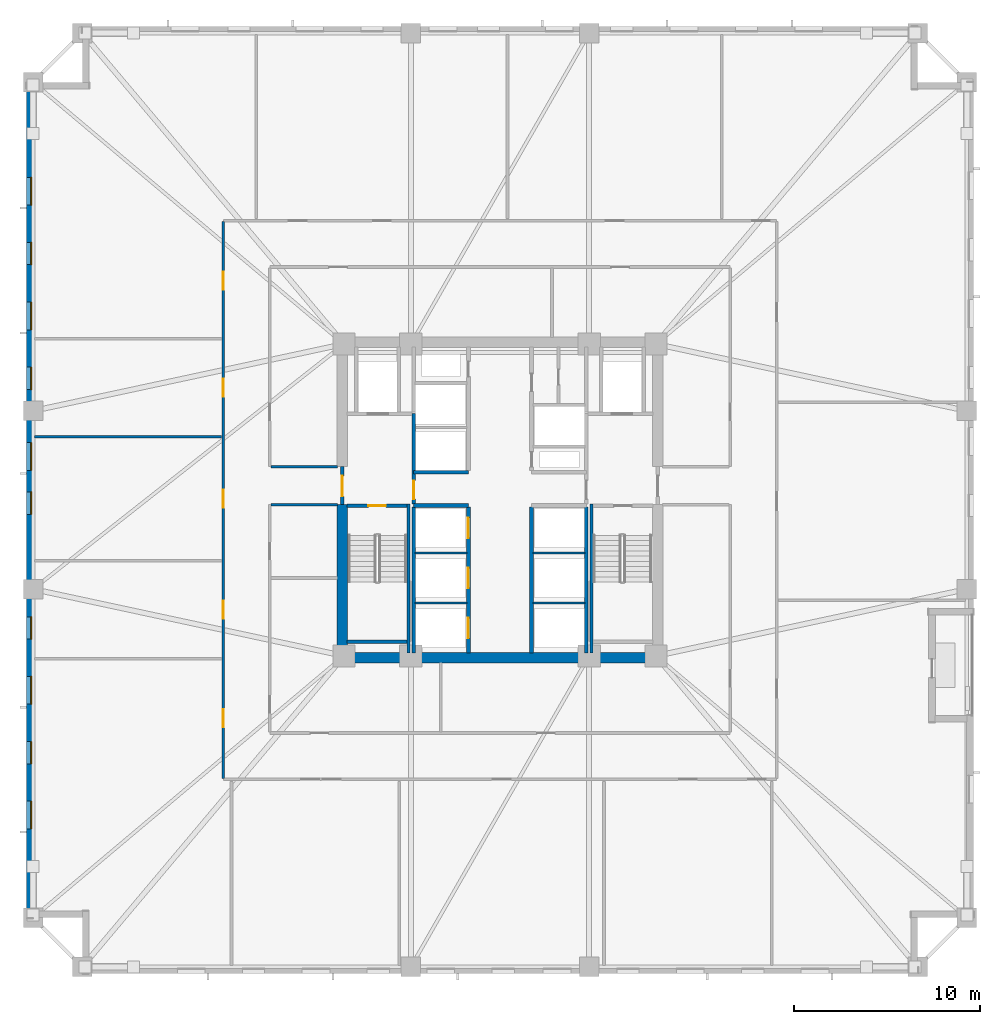
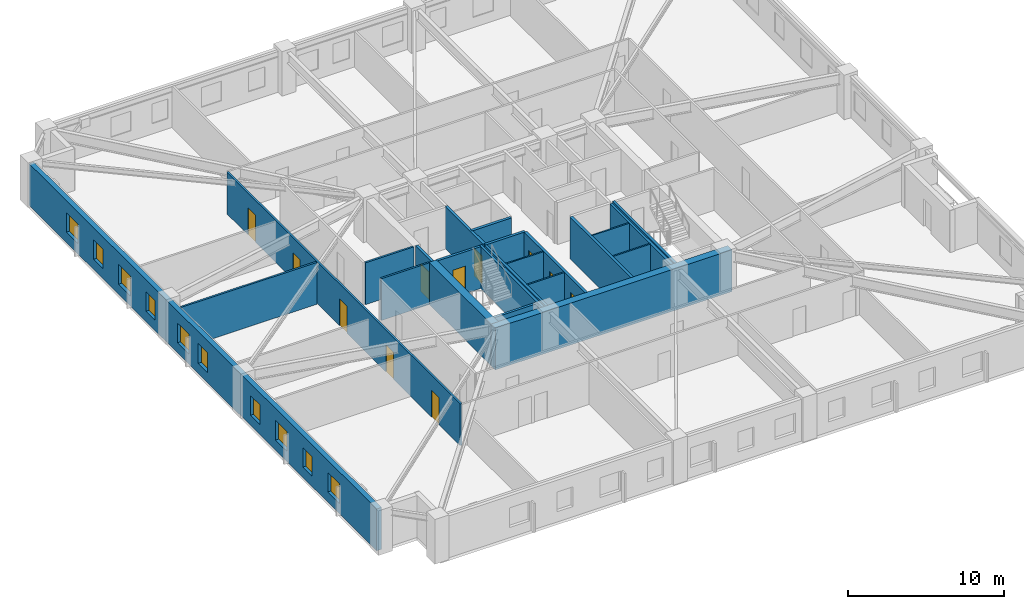
# One storey, part 3 of 11: 23 walls, 11 doors, 10 windows, 21 openings.
"""IFC4 building model written with IfcOpenShell, lengths in metres."""

from ifc_helpers import new_model, si_unit, direction, frame, frame_2d, origin, place, context, subcontext, project, spatial, rectangle, extrude, material, layer, layer_set, type_object, element, fill, save


model = new_model("IFC4")

# Units and contexts
model_context = context("Model", 3, precision=1e-05, world=origin(), true_north=direction((0.0, 1.0)))
body_context = subcontext(model_context, "Body", "Model", "MODEL_VIEW")
ifc_project = project(units=[si_unit("LENGTHUNIT", "METRE"), si_unit("AREAUNIT", "SQUARE_METRE"), si_unit("VOLUMEUNIT", "CUBIC_METRE"), si_unit("PLANEANGLEUNIT", "RADIAN"), si_unit("MASSUNIT", "GRAM", prefix="KILO")], contexts=[model_context])

# Site, building, storey
site_placement = place(None, origin())
site = spatial("IfcSite", under=ifc_project, at=site_placement, CompositionType="ELEMENT")
building_placement = place(site_placement, origin())
building = spatial("IfcBuilding", under=site, at=building_placement, Name="Cairnveth Concourse Tower", CompositionType="ELEMENT")
storey_placement = place(building_placement, frame((0.0, 0.0, 58.5)))
storey = spatial("IfcBuildingStorey", under=building, at=storey_placement, Name="L15", CompositionType="ELEMENT", Elevation=58.5)

# Walls
ifc_material_1 = material(Name="Concrete N80 (80 MPa)", Category="concrete")
ifc_layer_1 = layer(ifc_material_1, 0.550048828125)
ifc_layer_set_1 = layer_set([ifc_layer_1], Name="Concrete N80 (80 MPa)")
wall_type_1 = type_object("IfcWallType", Name="CORE SHEAR WALL 550", PredefinedType="SHEAR", material=ifc_layer_set_1)
wall_1_placement = place(storey_placement, frame((43.22509765625, 30.5, 0.0), z_axis=(0.0, 0.0, 1.0), x_axis=(1.0, 0.0, 0.0)))
element("IfcWall", 1, at=wall_1_placement, inside=storey, type_object=wall_type_1, Name="Core South Shear Wall L15", PredefinedType="SHEAR", context=body_context, shape_type="SweptSolid", body=[
    extrude(rectangle(XDim=17.5498046875, YDim=0.550048828125, at=frame_2d((8.77490234375, 0.0))), origin(), (0.0, 0.0, 1.0), 3.280029296875),
])
wall_2_placement = place(storey_placement, frame((43.5, 30.764892578125, 0.0), z_axis=(0.0, 0.0, 1.0), x_axis=(0.0, 1.0, 0.0)))
element("IfcWall", 2, at=wall_2_placement, inside=storey, type_object=wall_type_1, Name="Core West Shear Wall S L15", PredefinedType="SHEAR", context=body_context, shape_type="SweptSolid", body=[
    extrude(rectangle(XDim=7.985107421875, YDim=0.550048828125, at=frame_2d((3.99267578125, 0.0))), origin(), (0.0, 0.0, 1.0), 3.280029296875),
])
ifc_material_2 = material(Name="Concrete N50 (50 MPa)", Category="concrete")
ifc_layer_2 = layer(ifc_material_2, 0.179931640625)
ifc_layer_set_2 = layer_set([ifc_layer_2], Name="Concrete N50 (50 MPa)")
wall_type_2 = type_object("IfcWallType", Name="FIRE SHAFT WALL 180", PredefinedType="SOLIDWALL", material=ifc_layer_set_2)
for number, where, z_axis, x_axis, name in (
    (3, (47.35009765625, 30.760009765625, 0.0), (0.0, 0.0, 1.0), (0.0, 1.0, 0.0), "Interior Wall IW-L15-025"),
    (4, (56.64990234375, 30.760009765625, 0.0), (0.0, 0.0, 1.0), (0.0, 1.0, 0.0), "Interior Wall IW-L15-028"),
):
    element("IfcWall", number, at=place(storey_placement, frame(where, z_axis=z_axis, x_axis=x_axis)), inside=storey, type_object=wall_type_2, Name=name, PredefinedType="SOLIDWALL", context=body_context, shape_type="SweptSolid", body=[
        extrude(rectangle(XDim=7.85498046875, YDim=0.179931640625, at=frame_2d((3.927490234375, 0.0))), origin(), (0.0, 0.0, 1.0), 3.280029296875),
    ])

# Wall, opening, door
wall_3_placement = place(storey_placement, frame((43.764892578125, 38.68994140625, 0.0), z_axis=(0.0, 0.0, 1.0), x_axis=(1.0, 0.0, 0.0)))
wall_3 = element("IfcWall", 5, at=wall_3_placement, inside=storey, type_object=wall_type_2, Name="Stair ST-1 Shaft Wall NEAR L15", PredefinedType="SOLIDWALL", context=body_context, shape_type="SweptSolid", body=[
    extrude(rectangle(XDim=3.230224609375, YDim=0.179931640625, at=frame_2d((1.615234375, 0.0))), origin(), (0.0, 0.0, 1.0), 3.280029296875),
])
opening_1_placement = place(wall_3_placement, frame((1.139892578125, 0.0, 0.0)))
opening_1 = element("IfcOpeningElement", 6, at=opening_1_placement, cuts=wall_3, Name="Opening ID12", PredefinedType="OPENING", context=body_context, shape_type="SweptSolid", body=[
    extrude(rectangle(XDim=0.949951171875, YDim=2.14990234375, at=frame_2d((0.47509765625, 1.074951171875))), frame((0.0, 0.099853515625, 0.0), z_axis=(0.0, -1.0, 0.0), x_axis=(1.0, 0.0, 0.0)), (0.0, 0.0, 1.0), 0.199951171875),
])
ifc_material_3 = material(Name="Steel Grade 350", Category="steel")
door_type_1 = type_object("IfcDoorType", Name="FIRE STAIR DOOR 950X2150", OperationType="NOTDEFINED", PredefinedType="DOOR", material=ifc_material_3)
door_1_placement = place(opening_1_placement, origin())
door_1 = element("IfcDoor", 7, at=door_1_placement, inside=storey, type_object=door_type_1, Name="Stair ST-1 Fire Door L15", OperationType="SINGLE_SWING_LEFT", OverallHeight=2.14990234375, OverallWidth=0.949951171875, PredefinedType="DOOR", context=body_context, shape_type="SweptSolid", body=[
    extrude(rectangle(XDim=0.949951171875, YDim=2.14990234375, at=frame_2d((0.47509765625, 1.074951171875))), frame((0.0, 0.02490234375, 0.0), z_axis=(0.0, -1.0, 0.0), x_axis=(1.0, 0.0, 0.0)), (0.0, 0.0, 1.0), 0.050048828125),
])
fill(opening_1, door_1)

# Walls
wall_4_placement = place(storey_placement, frame((43.764892578125, 31.360107421875, 0.0), z_axis=(0.0, 0.0, 1.0), x_axis=(1.0, 0.0, 0.0)))
element("IfcWall", 8, at=wall_4_placement, inside=storey, type_object=wall_type_2, Name="Stair ST-1 Shaft Wall FAR L15", PredefinedType="SOLIDWALL", context=body_context, shape_type="SweptSolid", body=[
    extrude(rectangle(XDim=3.230224609375, YDim=0.179931640625, at=frame_2d((1.615234375, 0.0))), origin(), (0.0, 0.0, 1.0), 3.280029296875),
])
for number, where, z_axis, x_axis, name in (
    (9, (47.070068359375, 38.780029296875, 0.0), (0.0, 0.0, 1.0), (0.0, -1.0, 0.0), "Stair ST-1 Shaft Wall RGHT L15"),
    (10, (56.929931640625, 38.780029296875, 0.0), (0.0, 0.0, 1.0), (0.0, -1.0, 0.0), "Stair ST-2 Shaft Wall LEFT L15"),
):
    element("IfcWall", number, at=place(storey_placement, frame(where, z_axis=z_axis, x_axis=x_axis)), inside=storey, type_object=wall_type_2, Name=name, PredefinedType="SOLIDWALL", context=body_context, shape_type="SweptSolid", body=[
        extrude(rectangle(XDim=8.01708984375, YDim=0.179931640625, at=frame_2d((4.008544921875, 0.0))), origin(), (0.0, 0.0, 1.0), 3.280029296875),
    ])
ifc_layer_3 = layer(ifc_material_2, 0.199951171875)
ifc_layer_set_3 = layer_set([ifc_layer_3], Name="Concrete N50 (50 MPa)")
wall_type_3 = type_object("IfcWallType", Name="FIRE SHAFT WALL 200", PredefinedType="SOLIDWALL", material=ifc_layer_set_3)
for number, where, z_axis, x_axis, name in (
    (11, (47.35009765625, 38.699951171875, 0.0), (0.0, 0.0, 1.0), (1.0, 0.0, 0.0), "Interior Wall IW-L15-007"),
    (12, (47.35009765625, 40.5, 0.0), (0.0, 0.0, 1.0), (1.0, 0.0, 0.0), "Interior Wall IW-L15-008"),
):
    element("IfcWall", number, at=place(storey_placement, frame(where, z_axis=z_axis, x_axis=x_axis)), inside=storey, type_object=wall_type_3, Name=name, PredefinedType="SOLIDWALL", context=body_context, shape_type="SweptSolid", body=[
        extrude(rectangle(XDim=2.949951171875, YDim=0.199951171875, at=frame_2d((1.47509765625, 0.0))), origin(), (0.0, 0.0, 1.0), 3.280029296875),
    ])

# Wall, openings, doors
wall_5_placement = place(storey_placement, frame((50.300048828125, 30.760009765625, 0.0), z_axis=(0.0, 0.0, 1.0), x_axis=(0.0, 1.0, 0.0)))
wall_5 = element("IfcWall", 13, at=wall_5_placement, inside=storey, type_object=wall_type_3, Name="Interior Wall IW-L15-011", PredefinedType="SOLIDWALL", context=body_context, shape_type="SweptSolid", body=[
    extrude(rectangle(XDim=7.85498046875, YDim=0.199951171875, at=frame_2d((3.927490234375, 0.0))), origin(), (0.0, 0.0, 1.0), 3.280029296875),
])
opening_2_placement = place(wall_5_placement, frame((0.7900390625, 0.0, 0.0)))
opening_2 = element("IfcOpeningElement", 14, at=opening_2_placement, cuts=wall_5, Name="Opening LD-1", PredefinedType="OPENING", context=body_context, shape_type="SweptSolid", body=[
    extrude(rectangle(XDim=1.10009765625, YDim=2.199951171875, at=frame_2d((0.550048828125, 1.10009765625))), frame((0.0, 0.10986328125, 0.0), z_axis=(0.0, -1.0, 0.0), x_axis=(1.0, 0.0, 0.0)), (0.0, 0.0, 1.0), 0.219970703125),
])
opening_3_placement = place(wall_5_placement, frame((3.489990234375, 0.0, 0.0)))
opening_3 = element("IfcOpeningElement", 15, at=opening_3_placement, cuts=wall_5, Name="Opening LD-1", PredefinedType="OPENING", context=body_context, shape_type="SweptSolid", body=[
    extrude(rectangle(XDim=1.10009765625, YDim=2.199951171875, at=frame_2d((0.550048828125, 1.10009765625))), frame((0.0, 0.10986328125, 0.0), z_axis=(0.0, -1.0, 0.0), x_axis=(1.0, 0.0, 0.0)), (0.0, 0.0, 1.0), 0.219970703125),
])
opening_4_placement = place(wall_5_placement, frame((6.18994140625, 0.0, 0.0)))
opening_4 = element("IfcOpeningElement", 16, at=opening_4_placement, cuts=wall_5, Name="Opening LD-1", PredefinedType="OPENING", context=body_context, shape_type="SweptSolid", body=[
    extrude(rectangle(XDim=1.10009765625, YDim=2.199951171875, at=frame_2d((0.550048828125, 1.10009765625))), frame((0.0, 0.10986328125, 0.0), z_axis=(0.0, -1.0, 0.0), x_axis=(1.0, 0.0, 0.0)), (0.0, 0.0, 1.0), 0.219970703125),
])
ifc_material_4 = material(Name="Architectural Bronze Anodised Aluminium 6063-T6", Category="aluminium")
door_type_2 = type_object("IfcDoorType", Name="LIFT LANDING DOOR 1100X2200", OperationType="SLIDING_TO_LEFT", PredefinedType="DOOR", material=ifc_material_4)
door_2_placement = place(opening_2_placement, origin())
door_2 = element("IfcDoor", 17, at=door_2_placement, inside=storey, type_object=door_type_2, Name="Lift PL1 Landing Door L15", OperationType="SLIDING_TO_LEFT", OverallHeight=2.199951171875, OverallWidth=1.10009765625, PredefinedType="DOOR", context=body_context, shape_type="SweptSolid", body=[
    extrude(rectangle(XDim=1.10009765625, YDim=2.199951171875, at=frame_2d((0.550048828125, 1.10009765625))), frame((0.0, 0.02490234375, 0.0), z_axis=(0.0, -1.0, 0.0), x_axis=(1.0, 0.0, 0.0)), (0.0, 0.0, 1.0), 0.050048828125),
])
fill(opening_2, door_2)
door_3_placement = place(opening_3_placement, origin())
door_3 = element("IfcDoor", 18, at=door_3_placement, inside=storey, type_object=door_type_2, Name="Lift PL2 Landing Door L15", OperationType="SLIDING_TO_LEFT", OverallHeight=2.199951171875, OverallWidth=1.10009765625, PredefinedType="DOOR", context=body_context, shape_type="SweptSolid", body=[
    extrude(rectangle(XDim=1.10009765625, YDim=2.199951171875, at=frame_2d((0.550048828125, 1.10009765625))), frame((0.0, 0.02490234375, 0.0), z_axis=(0.0, -1.0, 0.0), x_axis=(1.0, 0.0, 0.0)), (0.0, 0.0, 1.0), 0.050048828125),
])
fill(opening_3, door_3)
door_4_placement = place(opening_4_placement, origin())
door_4 = element("IfcDoor", 19, at=door_4_placement, inside=storey, type_object=door_type_2, Name="Lift PL3 Landing Door L15", OperationType="SLIDING_TO_LEFT", OverallHeight=2.199951171875, OverallWidth=1.10009765625, PredefinedType="DOOR", context=body_context, shape_type="SweptSolid", body=[
    extrude(rectangle(XDim=1.10009765625, YDim=2.199951171875, at=frame_2d((0.550048828125, 1.10009765625))), frame((0.0, 0.02490234375, 0.0), z_axis=(0.0, -1.0, 0.0), x_axis=(1.0, 0.0, 0.0)), (0.0, 0.0, 1.0), 0.050048828125),
])
fill(opening_4, door_4)

# Wall
wall_6_placement = place(storey_placement, frame((53.699951171875, 30.760009765625, 0.0), z_axis=(0.0, 0.0, 1.0), x_axis=(0.0, 1.0, 0.0)))
element("IfcWall", 20, at=wall_6_placement, inside=storey, type_object=wall_type_3, Name="Interior Wall IW-L15-012", PredefinedType="SOLIDWALL", context=body_context, shape_type="SweptSolid", body=[
    extrude(rectangle(XDim=7.85498046875, YDim=0.199951171875, at=frame_2d((3.927490234375, 0.0))), origin(), (0.0, 0.0, 1.0), 3.280029296875),
])

# Wall, opening, door
wall_7_placement = place(storey_placement, frame((43.5, 38.75, 0.0), z_axis=(0.0, 0.0, 1.0), x_axis=(0.0, 1.0, 0.0)))
wall_7 = element("IfcWall", 21, at=wall_7_placement, inside=storey, type_object=wall_type_3, Name="Interior Wall IW-L15-015", PredefinedType="SOLIDWALL", context=body_context, shape_type="SweptSolid", body=[
    extrude(rectangle(XDim=2.050048828125, YDim=0.199951171875, at=frame_2d((1.02490234375, 0.0))), origin(), (0.0, 0.0, 1.0), 3.280029296875),
])
opening_5_placement = place(wall_7_placement, frame((0.449951171875, 0.0, 0.0)))
opening_5 = element("IfcOpeningElement", 22, at=opening_5_placement, cuts=wall_7, Name="Opening ID06", PredefinedType="OPENING", context=body_context, shape_type="SweptSolid", body=[
    extrude(rectangle(XDim=1.10009765625, YDim=2.14990234375, at=frame_2d((0.550048828125, 1.074951171875))), frame((0.0, 0.10986328125, 0.0), z_axis=(0.0, -1.0, 0.0), x_axis=(1.0, 0.0, 0.0)), (0.0, 0.0, 1.0), 0.219970703125),
])
door_type_3 = type_object("IfcDoorType", Name="FIRE CORRIDOR DOOR 1100X2150", OperationType="NOTDEFINED", PredefinedType="DOOR", material=ifc_material_3)
door_5_placement = place(opening_5_placement, origin())
door_5 = element("IfcDoor", 23, at=door_5_placement, inside=storey, type_object=door_type_3, Name="West Wing to FF Lobby Door L15", OperationType="SINGLE_SWING_LEFT", OverallHeight=2.14990234375, OverallWidth=1.10009765625, PredefinedType="DOOR", context=body_context, shape_type="SweptSolid", body=[
    extrude(rectangle(XDim=1.10009765625, YDim=2.14990234375, at=frame_2d((0.550048828125, 1.074951171875))), frame((0.0, 0.02490234375, 0.0), z_axis=(0.0, -1.0, 0.0), x_axis=(1.0, 0.0, 0.0)), (0.0, 0.0, 1.0), 0.050048828125),
])
fill(opening_5, door_5)

wall_8_placement = place(storey_placement, frame((47.35009765625, 38.784912109375, 0.0), z_axis=(0.0, 0.0, 1.0), x_axis=(0.0, 1.0, 0.0)))
wall_8 = element("IfcWall", 24, at=wall_8_placement, inside=storey, type_object=wall_type_3, Name="Interior Wall IW-L15-016", PredefinedType="SOLIDWALL", context=body_context, shape_type="SweptSolid", body=[
    extrude(rectangle(XDim=4.864990234375, YDim=0.199951171875, at=frame_2d((2.4326171875, 0.0))), origin(), (0.0, 0.0, 1.0), 3.280029296875),
])
opening_6_placement = place(wall_8_placement, frame((0.264892578125, 0.0, 0.0)))
opening_6 = element("IfcOpeningElement", 25, at=opening_6_placement, cuts=wall_8, Name="Opening ID07", PredefinedType="OPENING", context=body_context, shape_type="SweptSolid", body=[
    extrude(rectangle(XDim=1.0, YDim=2.14990234375, at=frame_2d((0.5, 1.074951171875))), frame((0.0, 0.10986328125, 0.0), z_axis=(0.0, -1.0, 0.0), x_axis=(1.0, 0.0, 0.0)), (0.0, 0.0, 1.0), 0.219970703125),
])
door_type_4 = type_object("IfcDoorType", Name="FIRE CORRIDOR DOOR 1000X2150", OperationType="NOTDEFINED", PredefinedType="DOOR", material=ifc_material_3)
door_6_placement = place(opening_6_placement, origin())
door_6 = element("IfcDoor", 26, at=door_6_placement, inside=storey, type_object=door_type_4, Name="FF Lobby West to Lift Lobby Door L15", OperationType="SINGLE_SWING_RIGHT", OverallHeight=2.14990234375, OverallWidth=1.0, PredefinedType="DOOR", context=body_context, shape_type="SweptSolid", body=[
    extrude(rectangle(XDim=1.0, YDim=2.14990234375, at=frame_2d((0.5, 1.074951171875))), frame((0.0, 0.02490234375, 0.0), z_axis=(0.0, -1.0, 0.0), x_axis=(1.0, 0.0, 0.0)), (0.0, 0.0, 1.0), 0.050048828125),
])
fill(opening_6, door_6)

# Wall, openings, doors
ifc_material_5 = material(Name="Gypsum Plasterboard Partition", Category="gypsum")
ifc_layer_4 = layer(ifc_material_5, 0.139892578125)
ifc_layer_set_4 = layer_set([ifc_layer_4], Name="Gypsum Plasterboard Partition")
wall_type_4 = type_object("IfcWallType", Name="GYPSUM STUD PARTITION 140", PredefinedType="PARTITIONING", material=ifc_layer_set_4)
wall_9_placement = place(storey_placement, frame((37.10009765625, 24.0048828125, 0.0), z_axis=(0.0, 0.0, 1.0), x_axis=(0.0, 1.0, 0.0)))
wall_9 = element("IfcWall", 27, at=wall_9_placement, inside=storey, type_object=wall_type_4, Name="Interior Wall IW-L15-040", PredefinedType="PARTITIONING", context=body_context, shape_type="SweptSolid", body=[
    extrude(rectangle(XDim=29.990234375, YDim=0.139892578125, at=frame_2d((14.9951171875, 0.0))), origin(), (0.0, 0.0, 1.0), 3.280029296875),
])
opening_7_placement = place(wall_9_placement, frame((2.759765625, 0.0, 0.0)))
opening_7 = element("IfcOpeningElement", 28, at=opening_7_placement, cuts=wall_9, Name="Opening ID11", PredefinedType="OPENING", context=body_context, shape_type="SweptSolid", body=[
    extrude(rectangle(XDim=0.9599609375, YDim=2.1201171875, at=frame_2d((0.47998046875, 1.06005859375))), frame((0.0, 0.079833984375, 0.0), z_axis=(0.0, -1.0, 0.0), x_axis=(1.0, 0.0, 0.0)), (0.0, 0.0, 1.0), 0.159912109375),
])
opening_8_placement = place(wall_9_placement, frame((8.597900390625, 0.0, 0.0)))
opening_8 = element("IfcOpeningElement", 29, at=opening_8_placement, cuts=wall_9, Name="Opening ID11", PredefinedType="OPENING", context=body_context, shape_type="SweptSolid", body=[
    extrude(rectangle(XDim=0.9599609375, YDim=2.1201171875, at=frame_2d((0.47998046875, 1.06005859375))), frame((0.0, 0.079833984375, 0.0), z_axis=(0.0, -1.0, 0.0), x_axis=(1.0, 0.0, 0.0)), (0.0, 0.0, 1.0), 0.159912109375),
])
opening_9_placement = place(wall_9_placement, frame((14.577880859375, 0.0, 0.0)))
opening_9 = element("IfcOpeningElement", 30, at=opening_9_placement, cuts=wall_9, Name="Opening ID11", PredefinedType="OPENING", context=body_context, shape_type="SweptSolid", body=[
    extrude(rectangle(XDim=0.9599609375, YDim=2.1201171875, at=frame_2d((0.47998046875, 1.06005859375))), frame((0.0, 0.079833984375, 0.0), z_axis=(0.0, -1.0, 0.0), x_axis=(1.0, 0.0, 0.0)), (0.0, 0.0, 1.0), 0.159912109375),
])
opening_10_placement = place(wall_9_placement, frame((20.55810546875, 0.0, 0.0)))
opening_10 = element("IfcOpeningElement", 31, at=opening_10_placement, cuts=wall_9, Name="Opening ID11", PredefinedType="OPENING", context=body_context, shape_type="SweptSolid", body=[
    extrude(rectangle(XDim=0.9599609375, YDim=2.1201171875, at=frame_2d((0.47998046875, 1.06005859375))), frame((0.0, 0.079833984375, 0.0), z_axis=(0.0, -1.0, 0.0), x_axis=(1.0, 0.0, 0.0)), (0.0, 0.0, 1.0), 0.159912109375),
])
opening_11_placement = place(wall_9_placement, frame((26.333251953125, 0.0, 0.0)))
opening_11 = element("IfcOpeningElement", 32, at=opening_11_placement, cuts=wall_9, Name="Opening ID11", PredefinedType="OPENING", context=body_context, shape_type="SweptSolid", body=[
    extrude(rectangle(XDim=0.9599609375, YDim=2.1201171875, at=frame_2d((0.47998046875, 1.06005859375))), frame((0.0, 0.079833984375, 0.0), z_axis=(0.0, -1.0, 0.0), x_axis=(1.0, 0.0, 0.0)), (0.0, 0.0, 1.0), 0.159912109375),
])
ifc_material_6 = material(Name="Solid Core Hardwood Timber Leaf", Category="wood")
door_type_5 = type_object("IfcDoorType", Name="INTERIOR SINGLE DOOR 960X2150", OperationType="NOTDEFINED", PredefinedType="DOOR", material=ifc_material_6)
door_7_placement = place(opening_7_placement, origin())
door_7 = element("IfcDoor", 33, at=door_7_placement, inside=storey, type_object=door_type_5, Name="Office Door L15-W1", OperationType="SINGLE_SWING_RIGHT", OverallHeight=2.1201171875, OverallWidth=0.9599609375, PredefinedType="DOOR", context=body_context, shape_type="SweptSolid", body=[
    extrude(rectangle(XDim=0.9599609375, YDim=2.1201171875, at=frame_2d((0.47998046875, 1.06005859375))), frame((0.0, 0.02490234375, 0.0), z_axis=(0.0, -1.0, 0.0), x_axis=(1.0, 0.0, 0.0)), (0.0, 0.0, 1.0), 0.050048828125),
])
fill(opening_7, door_7)
door_8_placement = place(opening_8_placement, origin())
door_8 = element("IfcDoor", 34, at=door_8_placement, inside=storey, type_object=door_type_5, Name="Office Door L15-W2", OperationType="SINGLE_SWING_LEFT", OverallHeight=2.1201171875, OverallWidth=0.9599609375, PredefinedType="DOOR", context=body_context, shape_type="SweptSolid", body=[
    extrude(rectangle(XDim=0.9599609375, YDim=2.1201171875, at=frame_2d((0.47998046875, 1.06005859375))), frame((0.0, 0.02490234375, 0.0), z_axis=(0.0, -1.0, 0.0), x_axis=(1.0, 0.0, 0.0)), (0.0, 0.0, 1.0), 0.050048828125),
])
fill(opening_8, door_8)
door_9_placement = place(opening_9_placement, origin())
door_9 = element("IfcDoor", 35, at=door_9_placement, inside=storey, type_object=door_type_5, Name="Office Door L15-W3", OperationType="SINGLE_SWING_RIGHT", OverallHeight=2.1201171875, OverallWidth=0.9599609375, PredefinedType="DOOR", context=body_context, shape_type="SweptSolid", body=[
    extrude(rectangle(XDim=0.9599609375, YDim=2.1201171875, at=frame_2d((0.47998046875, 1.06005859375))), frame((0.0, 0.02490234375, 0.0), z_axis=(0.0, -1.0, 0.0), x_axis=(1.0, 0.0, 0.0)), (0.0, 0.0, 1.0), 0.050048828125),
])
fill(opening_9, door_9)
door_10_placement = place(opening_10_placement, origin())
door_10 = element("IfcDoor", 36, at=door_10_placement, inside=storey, type_object=door_type_5, Name="Office Door L15-W4", OperationType="SINGLE_SWING_LEFT", OverallHeight=2.1201171875, OverallWidth=0.9599609375, PredefinedType="DOOR", context=body_context, shape_type="SweptSolid", body=[
    extrude(rectangle(XDim=0.9599609375, YDim=2.1201171875, at=frame_2d((0.47998046875, 1.06005859375))), frame((0.0, 0.02490234375, 0.0), z_axis=(0.0, -1.0, 0.0), x_axis=(1.0, 0.0, 0.0)), (0.0, 0.0, 1.0), 0.050048828125),
])
fill(opening_10, door_10)
door_11_placement = place(opening_11_placement, origin())
door_11 = element("IfcDoor", 37, at=door_11_placement, inside=storey, type_object=door_type_5, Name="Office Door L15-W5", OperationType="SINGLE_SWING_RIGHT", OverallHeight=2.1201171875, OverallWidth=0.9599609375, PredefinedType="DOOR", context=body_context, shape_type="SweptSolid", body=[
    extrude(rectangle(XDim=0.9599609375, YDim=2.1201171875, at=frame_2d((0.47998046875, 1.06005859375))), frame((0.0, 0.02490234375, 0.0), z_axis=(0.0, -1.0, 0.0), x_axis=(1.0, 0.0, 0.0)), (0.0, 0.0, 1.0), 0.050048828125),
])
fill(opening_11, door_11)

# Walls
for number, where, z_axis, x_axis, name in (
    (38, (39.655029296875, 38.75, 0.0), (0.0, 0.0, 1.0), (1.0, 0.0, 0.0), "Interior Wall IW-L15-046"),
    (39, (39.655029296875, 40.800048828125, 0.0), (0.0, 0.0, 1.0), (1.0, 0.0, 0.0), "Interior Wall IW-L15-047"),
):
    element("IfcWall", number, at=place(storey_placement, frame(where, z_axis=z_axis, x_axis=x_axis)), inside=storey, type_object=wall_type_4, Name=name, PredefinedType="PARTITIONING", context=body_context, shape_type="SweptSolid", body=[
        extrude(rectangle(XDim=3.5849609375, YDim=0.139892578125, at=frame_2d((1.79248046875, 0.0))), origin(), (0.0, 0.0, 1.0), 3.280029296875),
    ])
wall_10_placement = place(storey_placement, frame((26.919921875, 42.3994140625, 0.0), z_axis=(0.0, 0.0, 1.0), x_axis=(1.0, 0.0, 0.0)))
element("IfcWall", 40, at=wall_10_placement, inside=storey, type_object=wall_type_4, Name="Interior Wall IW-L15-064", PredefinedType="PARTITIONING", context=body_context, shape_type="SweptSolid", body=[
    extrude(rectangle(XDim=10.080078125, YDim=0.139892578125, at=frame_2d((5.0400390625, 0.0))), origin(), (0.0, 0.0, 1.0), 3.280029296875),
])
ifc_layer_5 = layer(ifc_material_5, 0.110107421875)
ifc_layer_set_5 = layer_set([ifc_layer_5], Name="Gypsum Plasterboard Partition")
wall_type_5 = type_object("IfcWallType", Name="SHAFT DIVIDER WALL 140", PredefinedType="PARTITIONING", material=ifc_layer_set_5)
for number, where, z_axis, x_axis, name in (
    (41, (47.425048828125, 33.449951171875, 0.0), (0.0, 0.0, 1.0), (1.0, 0.0, 0.0), "Interior Wall IW-L15-026"),
    (42, (47.425048828125, 36.14990234375, 0.0), (0.0, 0.0, 1.0), (1.0, 0.0, 0.0), "Interior Wall IW-L15-027"),
    (43, (53.784912109375, 33.449951171875, 0.0), (0.0, 0.0, 1.0), (1.0, 0.0, 0.0), "Interior Wall IW-L15-029"),
    (44, (53.784912109375, 36.14990234375, 0.0), (0.0, 0.0, 1.0), (1.0, 0.0, 0.0), "Interior Wall IW-L15-030"),
):
    element("IfcWall", number, at=place(storey_placement, frame(where, z_axis=z_axis, x_axis=x_axis)), inside=storey, type_object=wall_type_5, Name=name, PredefinedType="PARTITIONING", context=body_context, shape_type="SweptSolid", body=[
        extrude(rectangle(XDim=2.7900390625, YDim=0.110107421875, at=frame_2d((1.39501953125, 0.0))), origin(), (0.0, 0.0, 1.0), 3.280029296875),
    ])

# Wall, openings, windows
ifc_material_7 = material(Name="Hawthorn Red-Ochre Fired Clay Brick Masonry", Category="masonry")
ifc_layer_6 = layer(ifc_material_7, 0.360107421875)
ifc_layer_set_6 = layer_set([ifc_layer_6], Name="Hawthorn Red-Ochre Fired Clay Brick Masonry")
wall_type_6 = type_object("IfcWallType", Name="ZONE 1 BRICK PIER SPANDREL WALL 360", PredefinedType="SOLIDWALL", material=ifc_layer_set_6)
wall_11_placement = place(storey_placement, frame((26.679931640625, 16.5, 0.0), z_axis=(0.0, 0.0, 1.0), x_axis=(0.0, 1.0, 0.0)))
wall_11 = element("IfcWall", 45, at=wall_11_placement, inside=storey, type_object=wall_type_6, Name="Exterior Wall EW-L15-S06", PredefinedType="SOLIDWALL", context=body_context, shape_type="SweptSolid", body=[
    extrude(rectangle(XDim=44.662109375, YDim=0.360107421875, at=frame_2d((22.3310546875, 0.0))), origin(), (0.0, 0.0, 1.0), 3.280029296875),
])
opening_12_placement = place(wall_11_placement, frame((4.780029296875, 0.0, 0.800048828125)))
opening_12 = element("IfcOpeningElement", 46, at=opening_12_placement, cuts=wall_11, Name="Opening W03", PredefinedType="OPENING", context=body_context, shape_type="SweptSolid", body=[
    extrude(rectangle(XDim=1.5, YDim=1.5439453125, at=frame_2d((0.75, 0.77197265625))), frame((0.0, 0.18994140625, 0.0), z_axis=(0.0, -1.0, 0.0), x_axis=(1.0, 0.0, 0.0)), (0.0, 0.0, 1.0), 0.380126953125),
])
opening_13_placement = place(wall_11_placement, frame((8.290283203125, 0.0, 0.800048828125)))
opening_13 = element("IfcOpeningElement", 47, at=opening_13_placement, cuts=wall_11, Name="Opening W01", PredefinedType="OPENING", context=body_context, shape_type="SweptSolid", body=[
    extrude(rectangle(XDim=1.199951171875, YDim=1.5439453125, at=frame_2d((0.60009765625, 0.77197265625))), frame((0.0, 0.18994140625, 0.0), z_axis=(0.0, -1.0, 0.0), x_axis=(1.0, 0.0, 0.0)), (0.0, 0.0, 1.0), 0.380126953125),
])
opening_14_placement = place(wall_11_placement, frame((11.50048828125, 0.0, 0.800048828125)))
opening_14 = element("IfcOpeningElement", 48, at=opening_14_placement, cuts=wall_11, Name="Opening W03", PredefinedType="OPENING", context=body_context, shape_type="SweptSolid", body=[
    extrude(rectangle(XDim=1.5, YDim=1.5439453125, at=frame_2d((0.75, 0.77197265625))), frame((0.0, 0.18994140625, 0.0), z_axis=(0.0, -1.0, 0.0), x_axis=(1.0, 0.0, 0.0)), (0.0, 0.0, 1.0), 0.380126953125),
])
opening_15_placement = place(wall_11_placement, frame((15.010498046875, 0.0, 0.800048828125)))
opening_15 = element("IfcOpeningElement", 49, at=opening_15_placement, cuts=wall_11, Name="Opening W01", PredefinedType="OPENING", context=body_context, shape_type="SweptSolid", body=[
    extrude(rectangle(XDim=1.199951171875, YDim=1.5439453125, at=frame_2d((0.60009765625, 0.77197265625))), frame((0.0, 0.18994140625, 0.0), z_axis=(0.0, -1.0, 0.0), x_axis=(1.0, 0.0, 0.0)), (0.0, 0.0, 1.0), 0.380126953125),
])
opening_16_placement = place(wall_11_placement, frame((21.73095703125, 0.0, 0.800048828125)))
opening_16 = element("IfcOpeningElement", 50, at=opening_16_placement, cuts=wall_11, Name="Opening W01", PredefinedType="OPENING", context=body_context, shape_type="SweptSolid", body=[
    extrude(rectangle(XDim=1.199951171875, YDim=1.5439453125, at=frame_2d((0.60009765625, 0.77197265625))), frame((0.0, 0.18994140625, 0.0), z_axis=(0.0, -1.0, 0.0), x_axis=(1.0, 0.0, 0.0)), (0.0, 0.0, 1.0), 0.380126953125),
])
opening_17_placement = place(wall_11_placement, frame((24.09130859375, 0.0, 0.800048828125)))
opening_17 = element("IfcOpeningElement", 51, at=opening_17_placement, cuts=wall_11, Name="Opening W03", PredefinedType="OPENING", context=body_context, shape_type="SweptSolid", body=[
    extrude(rectangle(XDim=1.5, YDim=1.5439453125, at=frame_2d((0.75, 0.77197265625))), frame((0.0, 0.18994140625, 0.0), z_axis=(0.0, -1.0, 0.0), x_axis=(1.0, 0.0, 0.0)), (0.0, 0.0, 1.0), 0.380126953125),
])
opening_18_placement = place(wall_11_placement, frame((28.451416015625, 0.0, 0.800048828125)))
opening_18 = element("IfcOpeningElement", 52, at=opening_18_placement, cuts=wall_11, Name="Opening W01", PredefinedType="OPENING", context=body_context, shape_type="SweptSolid", body=[
    extrude(rectangle(XDim=1.199951171875, YDim=1.5439453125, at=frame_2d((0.60009765625, 0.77197265625))), frame((0.0, 0.18994140625, 0.0), z_axis=(0.0, -1.0, 0.0), x_axis=(1.0, 0.0, 0.0)), (0.0, 0.0, 1.0), 0.380126953125),
])
opening_19_placement = place(wall_11_placement, frame((31.66162109375, 0.0, 0.800048828125)))
opening_19 = element("IfcOpeningElement", 53, at=opening_19_placement, cuts=wall_11, Name="Opening W03", PredefinedType="OPENING", context=body_context, shape_type="SweptSolid", body=[
    extrude(rectangle(XDim=1.5, YDim=1.5439453125, at=frame_2d((0.75, 0.77197265625))), frame((0.0, 0.18994140625, 0.0), z_axis=(0.0, -1.0, 0.0), x_axis=(1.0, 0.0, 0.0)), (0.0, 0.0, 1.0), 0.380126953125),
])
opening_20_placement = place(wall_11_placement, frame((35.171630859375, 0.0, 0.800048828125)))
opening_20 = element("IfcOpeningElement", 54, at=opening_20_placement, cuts=wall_11, Name="Opening W01", PredefinedType="OPENING", context=body_context, shape_type="SweptSolid", body=[
    extrude(rectangle(XDim=1.199951171875, YDim=1.5439453125, at=frame_2d((0.60009765625, 0.77197265625))), frame((0.0, 0.18994140625, 0.0), z_axis=(0.0, -1.0, 0.0), x_axis=(1.0, 0.0, 0.0)), (0.0, 0.0, 1.0), 0.380126953125),
])
opening_21_placement = place(wall_11_placement, frame((38.3818359375, 0.0, 0.800048828125)))
opening_21 = element("IfcOpeningElement", 55, at=opening_21_placement, cuts=wall_11, Name="Opening W03", PredefinedType="OPENING", context=body_context, shape_type="SweptSolid", body=[
    extrude(rectangle(XDim=1.5, YDim=1.5439453125, at=frame_2d((0.75, 0.77197265625))), frame((0.0, 0.18994140625, 0.0), z_axis=(0.0, -1.0, 0.0), x_axis=(1.0, 0.0, 0.0)), (0.0, 0.0, 1.0), 0.380126953125),
])
ifc_material_8 = material(Name="Double Glazed Low-E Clear Glass", Category="glass")
window_type_1 = type_object("IfcWindowType", Name="DEEP-SET GOTHIC LANCET WINDOW 1200X1800", PartitioningType="DOUBLE_PANEL_VERTICAL", PredefinedType="WINDOW", material=ifc_material_8)
window_1_placement = place(opening_13_placement, origin())
window_1 = element("IfcWindow", 56, at=window_1_placement, inside=storey, type_object=window_type_1, Name="Gothic Lancet Window L15-6-2", OverallHeight=1.5439453125, OverallWidth=1.199951171875, PartitioningType="SINGLE_PANEL", PredefinedType="WINDOW", context=body_context, shape_type="SweptSolid", body=[
    extrude(rectangle(XDim=1.199951171875, YDim=1.5439453125, at=frame_2d((0.60009765625, 0.77197265625))), frame((0.0, -0.050048828125, 0.0), z_axis=(0.0, -1.0, 0.0), x_axis=(1.0, 0.0, 0.0)), (0.0, 0.0, 1.0), 0.06005859375),
])
fill(opening_13, window_1)
window_2_placement = place(opening_15_placement, origin())
window_2 = element("IfcWindow", 57, at=window_2_placement, inside=storey, type_object=window_type_1, Name="Gothic Lancet Window L15-6-4", OverallHeight=1.5439453125, OverallWidth=1.199951171875, PartitioningType="SINGLE_PANEL", PredefinedType="WINDOW", context=body_context, shape_type="SweptSolid", body=[
    extrude(rectangle(XDim=1.199951171875, YDim=1.5439453125, at=frame_2d((0.60009765625, 0.77197265625))), frame((0.0, -0.050048828125, 0.0), z_axis=(0.0, -1.0, 0.0), x_axis=(1.0, 0.0, 0.0)), (0.0, 0.0, 1.0), 0.06005859375),
])
fill(opening_15, window_2)
window_3_placement = place(opening_16_placement, origin())
window_3 = element("IfcWindow", 58, at=window_3_placement, inside=storey, type_object=window_type_1, Name="Gothic Lancet Window L15-6-6", OverallHeight=1.5439453125, OverallWidth=1.199951171875, PartitioningType="SINGLE_PANEL", PredefinedType="WINDOW", context=body_context, shape_type="SweptSolid", body=[
    extrude(rectangle(XDim=1.199951171875, YDim=1.5439453125, at=frame_2d((0.60009765625, 0.77197265625))), frame((0.0, -0.050048828125, 0.0), z_axis=(0.0, -1.0, 0.0), x_axis=(1.0, 0.0, 0.0)), (0.0, 0.0, 1.0), 0.06005859375),
])
fill(opening_16, window_3)
window_4_placement = place(opening_18_placement, origin())
window_4 = element("IfcWindow", 59, at=window_4_placement, inside=storey, type_object=window_type_1, Name="Gothic Lancet Window L15-6-8", OverallHeight=1.5439453125, OverallWidth=1.199951171875, PartitioningType="SINGLE_PANEL", PredefinedType="WINDOW", context=body_context, shape_type="SweptSolid", body=[
    extrude(rectangle(XDim=1.199951171875, YDim=1.5439453125, at=frame_2d((0.60009765625, 0.77197265625))), frame((0.0, -0.050048828125, 0.0), z_axis=(0.0, -1.0, 0.0), x_axis=(1.0, 0.0, 0.0)), (0.0, 0.0, 1.0), 0.06005859375),
])
fill(opening_18, window_4)
window_5_placement = place(opening_20_placement, origin())
window_5 = element("IfcWindow", 60, at=window_5_placement, inside=storey, type_object=window_type_1, Name="Gothic Lancet Window L15-6-10", OverallHeight=1.5439453125, OverallWidth=1.199951171875, PartitioningType="SINGLE_PANEL", PredefinedType="WINDOW", context=body_context, shape_type="SweptSolid", body=[
    extrude(rectangle(XDim=1.199951171875, YDim=1.5439453125, at=frame_2d((0.60009765625, 0.77197265625))), frame((0.0, -0.050048828125, 0.0), z_axis=(0.0, -1.0, 0.0), x_axis=(1.0, 0.0, 0.0)), (0.0, 0.0, 1.0), 0.06005859375),
])
fill(opening_20, window_5)
window_type_2 = type_object("IfcWindowType", Name="DEEP-SET GOTHIC LANCET WINDOW 1500X1800", PartitioningType="DOUBLE_PANEL_VERTICAL", PredefinedType="WINDOW", material=ifc_material_8)
window_6_placement = place(opening_12_placement, origin())
window_6 = element("IfcWindow", 61, at=window_6_placement, inside=storey, type_object=window_type_2, Name="Gothic Lancet Window L15-6-1", OverallHeight=1.5439453125, OverallWidth=1.5, PartitioningType="SINGLE_PANEL", PredefinedType="WINDOW", context=body_context, shape_type="SweptSolid", body=[
    extrude(rectangle(XDim=1.5, YDim=1.5439453125, at=frame_2d((0.75, 0.77197265625))), frame((0.0, -0.050048828125, 0.0), z_axis=(0.0, -1.0, 0.0), x_axis=(1.0, 0.0, 0.0)), (0.0, 0.0, 1.0), 0.06005859375),
])
fill(opening_12, window_6)
window_7_placement = place(opening_14_placement, origin())
window_7 = element("IfcWindow", 62, at=window_7_placement, inside=storey, type_object=window_type_2, Name="Gothic Lancet Window L15-6-3", OverallHeight=1.5439453125, OverallWidth=1.5, PartitioningType="SINGLE_PANEL", PredefinedType="WINDOW", context=body_context, shape_type="SweptSolid", body=[
    extrude(rectangle(XDim=1.5, YDim=1.5439453125, at=frame_2d((0.75, 0.77197265625))), frame((0.0, -0.050048828125, 0.0), z_axis=(0.0, -1.0, 0.0), x_axis=(1.0, 0.0, 0.0)), (0.0, 0.0, 1.0), 0.06005859375),
])
fill(opening_14, window_7)
window_8_placement = place(opening_17_placement, origin())
window_8 = element("IfcWindow", 63, at=window_8_placement, inside=storey, type_object=window_type_2, Name="Gothic Lancet Window L15-6-7", OverallHeight=1.5439453125, OverallWidth=1.5, PartitioningType="SINGLE_PANEL", PredefinedType="WINDOW", context=body_context, shape_type="SweptSolid", body=[
    extrude(rectangle(XDim=1.5, YDim=1.5439453125, at=frame_2d((0.75, 0.77197265625))), frame((0.0, -0.050048828125, 0.0), z_axis=(0.0, -1.0, 0.0), x_axis=(1.0, 0.0, 0.0)), (0.0, 0.0, 1.0), 0.06005859375),
])
fill(opening_17, window_8)
window_9_placement = place(opening_19_placement, origin())
window_9 = element("IfcWindow", 64, at=window_9_placement, inside=storey, type_object=window_type_2, Name="Gothic Lancet Window L15-6-9", OverallHeight=1.5439453125, OverallWidth=1.5, PartitioningType="SINGLE_PANEL", PredefinedType="WINDOW", context=body_context, shape_type="SweptSolid", body=[
    extrude(rectangle(XDim=1.5, YDim=1.5439453125, at=frame_2d((0.75, 0.77197265625))), frame((0.0, -0.050048828125, 0.0), z_axis=(0.0, -1.0, 0.0), x_axis=(1.0, 0.0, 0.0)), (0.0, 0.0, 1.0), 0.06005859375),
])
fill(opening_19, window_9)
window_10_placement = place(opening_21_placement, origin())
window_10 = element("IfcWindow", 65, at=window_10_placement, inside=storey, type_object=window_type_2, Name="Gothic Lancet Window L15-6-11", OverallHeight=1.5439453125, OverallWidth=1.5, PartitioningType="SINGLE_PANEL", PredefinedType="WINDOW", context=body_context, shape_type="SweptSolid", body=[
    extrude(rectangle(XDim=1.5, YDim=1.5439453125, at=frame_2d((0.75, 0.77197265625))), frame((0.0, -0.050048828125, 0.0), z_axis=(0.0, -1.0, 0.0), x_axis=(1.0, 0.0, 0.0)), (0.0, 0.0, 1.0), 0.06005859375),
])
fill(opening_21, window_10)

save(model, "model.ifc")
